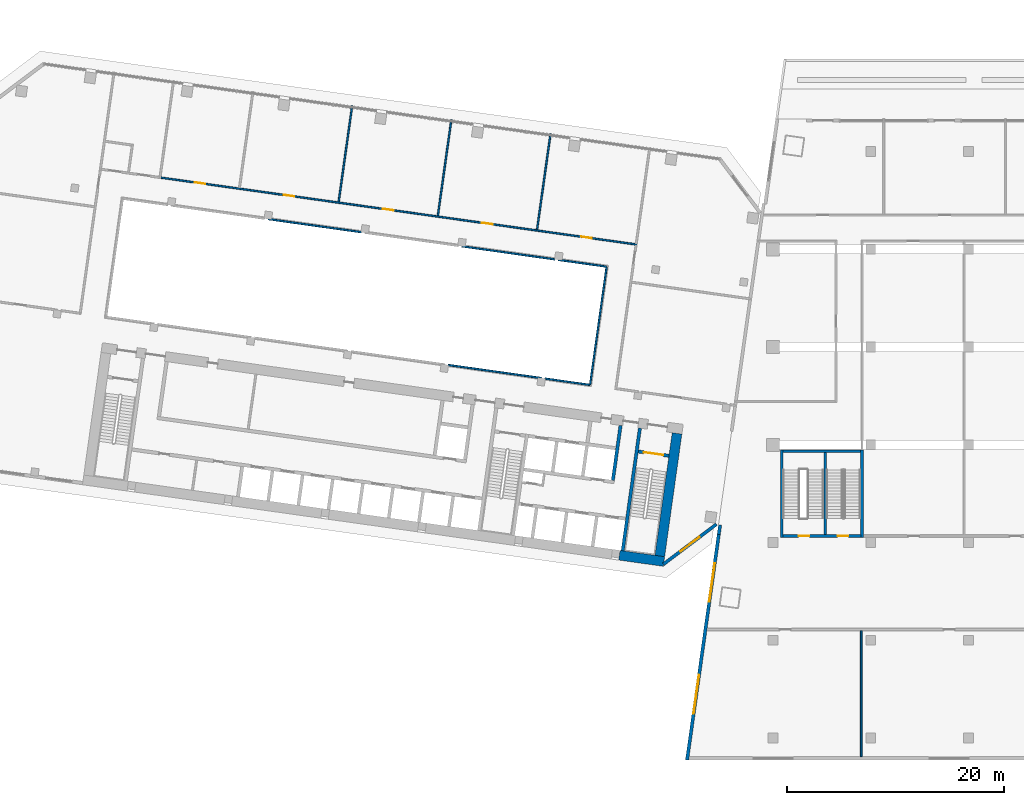
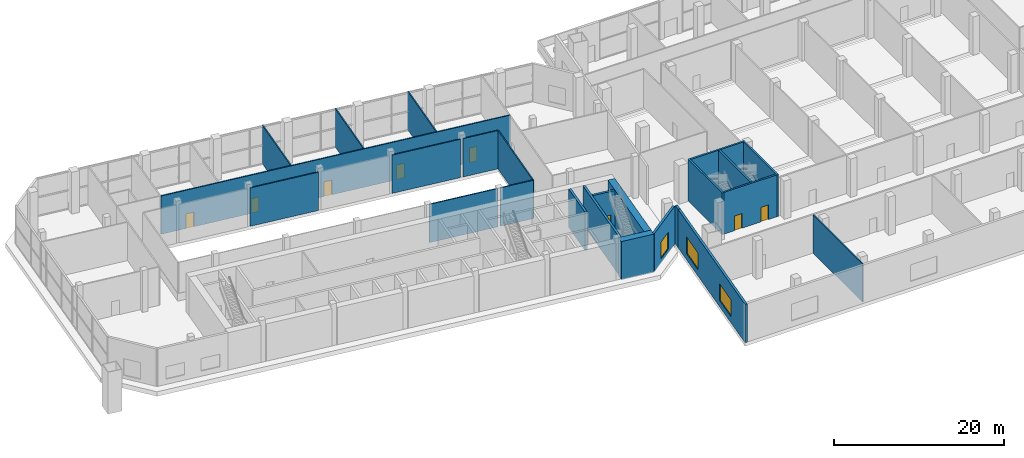
# One storey, part 11 of 24: 24 walls, 8 doors, 3 windows, 11 openings.
"""IFC4 building model written with IfcOpenShell, lengths in metres."""

from ifc_helpers import new_model, si_unit, direction, frame, frame_2d, origin, place, context, subcontext, project, spatial, rectangle, extrude, material, layer, layer_set, type_object, element, fill, save


model = new_model("IFC4")

# Units and contexts
model_context = context("Model", 3, precision=1e-05, world=origin(), true_north=direction((0.0, 1.0)))
body_context = subcontext(model_context, "Body", "Model", "MODEL_VIEW")
ifc_project = project(units=[si_unit("LENGTHUNIT", "METRE"), si_unit("AREAUNIT", "SQUARE_METRE"), si_unit("VOLUMEUNIT", "CUBIC_METRE"), si_unit("PLANEANGLEUNIT", "RADIAN"), si_unit("MASSUNIT", "GRAM", prefix="KILO")], contexts=[model_context])

# Site, building, storey
site_placement = place(None, origin())
site = spatial("IfcSite", under=ifc_project, at=site_placement, CompositionType="ELEMENT")
building_placement = place(site_placement, origin())
building = spatial("IfcBuilding", under=site, at=building_placement, Name="Mirante Cascada Hotel Towers", CompositionType="ELEMENT")
storey_placement = place(building_placement, frame((0.0, 0.0, 17.5)))
storey = spatial("IfcBuildingStorey", under=building, at=storey_placement, Name="L02", CompositionType="ELEMENT", Elevation=17.5)

# Wall, openings, doors
ifc_material_1 = material(Name="Masonry block", Category="masonry")
ifc_layer_1 = layer(ifc_material_1, 0.15)
ifc_layer_set_1 = layer_set([ifc_layer_1], Name="Corridor wall 150 block")
wall_type_1 = type_object("IfcWallType", Name="Corridor wall 150 block", PredefinedType="PARTITIONING", material=ifc_layer_set_1)
wall_1_placement = place(storey_placement, frame((-83.3717, 15.5992, 0.0), z_axis=(0.0, 0.0, 1.0), x_axis=(0.9902681, -0.1391729, 0.0)))
wall_1 = element("IfcWall", 1, at=wall_1_placement, inside=storey, type_object=wall_type_1, Name="Corridor wall T1 L02", PredefinedType="PARTITIONING", context=body_context, shape_type="SweptSolid", body=[
    extrude(rectangle(XDim=44.2766, YDim=0.15, at=frame_2d((22.1383, 0.0))), origin(), (0.0, 0.0, 1.0), 5.5),
])
opening_1_placement = place(wall_1_placement, frame((39.0905, 0.0, 0.0)))
opening_1 = element("IfcOpeningElement", 2, at=opening_1_placement, cuts=wall_1, Name="Opening DP1-L02-05", PredefinedType="OPENING", context=body_context, shape_type="SweptSolid", body=[
    extrude(rectangle(XDim=1.0, YDim=2.1, at=frame_2d((0.5, 1.05))), frame((0.0, 0.075, 0.0), z_axis=(0.0, -1.0, 0.0), x_axis=(1.0, 0.0, 0.0)), (0.0, 0.0, 1.0), 0.15),
])
opening_2_placement = place(wall_1_placement, frame((29.8683, 0.0, 0.0)))
opening_2 = element("IfcOpeningElement", 3, at=opening_2_placement, cuts=wall_1, Name="Opening DP1-L02-06", PredefinedType="OPENING", context=body_context, shape_type="SweptSolid", body=[
    extrude(rectangle(XDim=1.0, YDim=2.1, at=frame_2d((0.5, 1.05))), frame((0.0, 0.075, 0.0), z_axis=(0.0, -1.0, 0.0), x_axis=(1.0, 0.0, 0.0)), (0.0, 0.0, 1.0), 0.15),
])
opening_3_placement = place(wall_1_placement, frame((20.6461, 0.0, 0.0)))
opening_3 = element("IfcOpeningElement", 4, at=opening_3_placement, cuts=wall_1, Name="Opening DP1-L02-07", PredefinedType="OPENING", context=body_context, shape_type="SweptSolid", body=[
    extrude(rectangle(XDim=1.0, YDim=2.1, at=frame_2d((0.5, 1.05))), frame((0.0, 0.075, 0.0), z_axis=(0.0, -1.0, 0.0), x_axis=(1.0, 0.0, 0.0)), (0.0, 0.0, 1.0), 0.15),
])
opening_4_placement = place(wall_1_placement, frame((11.4238, 0.0, 0.0)))
opening_4 = element("IfcOpeningElement", 5, at=opening_4_placement, cuts=wall_1, Name="Opening DP1-L02-08", PredefinedType="OPENING", context=body_context, shape_type="SweptSolid", body=[
    extrude(rectangle(XDim=1.0, YDim=2.1, at=frame_2d((0.5, 1.05))), frame((0.0, 0.075, 0.0), z_axis=(0.0, -1.0, 0.0), x_axis=(1.0, 0.0, 0.0)), (0.0, 0.0, 1.0), 0.15),
])
opening_5_placement = place(wall_1_placement, frame((3.1564, 0.0, 0.0)))
opening_5 = element("IfcOpeningElement", 6, at=opening_5_placement, cuts=wall_1, Name="Opening DP1-L02-09", PredefinedType="OPENING", context=body_context, shape_type="SweptSolid", body=[
    extrude(rectangle(XDim=1.0, YDim=2.1, at=frame_2d((0.5, 1.05))), frame((0.0, 0.075, 0.0), z_axis=(0.0, -1.0, 0.0), x_axis=(1.0, 0.0, 0.0)), (0.0, 0.0, 1.0), 0.15),
])
ifc_material_2 = material(Name="Timber door leaf", Category="wood")
door_type_1 = type_object("IfcDoorType", Name="Single door 1000x2100", OperationType="NOTDEFINED", PredefinedType="DOOR", material=ifc_material_2)
door_1_placement = place(opening_1_placement, frame((1.0, 0.0, 0.0), z_axis=(0.0, 0.0, 1.0), x_axis=(-1.0, 0.0, 0.0)))
door_1 = element("IfcDoor", 7, at=door_1_placement, inside=storey, type_object=door_type_1, Name="Door DP1-L02-05", OperationType="SINGLE_SWING_LEFT", OverallHeight=2.1, OverallWidth=1.0, PredefinedType="DOOR", context=body_context, shape_type="SweptSolid", body=[
    extrude(rectangle(XDim=1.0, YDim=2.1, at=frame_2d((0.5, 1.05))), frame((0.0, 0.025, 0.0), z_axis=(0.0, -1.0, 0.0), x_axis=(1.0, 0.0, 0.0)), (0.0, 0.0, 1.0), 0.05),
])
fill(opening_1, door_1)
door_2_placement = place(opening_2_placement, origin())
door_2 = element("IfcDoor", 8, at=door_2_placement, inside=storey, type_object=door_type_1, Name="Door DP1-L02-06", OperationType="SINGLE_SWING_RIGHT", OverallHeight=2.1, OverallWidth=1.0, PredefinedType="DOOR", context=body_context, shape_type="SweptSolid", body=[
    extrude(rectangle(XDim=1.0, YDim=2.1, at=frame_2d((0.5, 1.05))), frame((0.0, 0.025, 0.0), z_axis=(0.0, -1.0, 0.0), x_axis=(1.0, 0.0, 0.0)), (0.0, 0.0, 1.0), 0.05),
])
fill(opening_2, door_2)
door_3_placement = place(opening_3_placement, origin())
door_3 = element("IfcDoor", 9, at=door_3_placement, inside=storey, type_object=door_type_1, Name="Door DP1-L02-07", OperationType="SINGLE_SWING_LEFT", OverallHeight=2.1, OverallWidth=1.0, PredefinedType="DOOR", context=body_context, shape_type="SweptSolid", body=[
    extrude(rectangle(XDim=1.0, YDim=2.1, at=frame_2d((0.5, 1.05))), frame((0.0, 0.025, 0.0), z_axis=(0.0, -1.0, 0.0), x_axis=(1.0, 0.0, 0.0)), (0.0, 0.0, 1.0), 0.05),
])
fill(opening_3, door_3)
door_4_placement = place(opening_4_placement, frame((1.0, 0.0, 0.0), z_axis=(0.0, 0.0, 1.0), x_axis=(-1.0, 0.0, 0.0)))
door_4 = element("IfcDoor", 10, at=door_4_placement, inside=storey, type_object=door_type_1, Name="Door DP1-L02-08", OperationType="SINGLE_SWING_RIGHT", OverallHeight=2.1, OverallWidth=1.0, PredefinedType="DOOR", context=body_context, shape_type="SweptSolid", body=[
    extrude(rectangle(XDim=1.0, YDim=2.1, at=frame_2d((0.5, 1.05))), frame((0.0, 0.025, 0.0), z_axis=(0.0, -1.0, 0.0), x_axis=(1.0, 0.0, 0.0)), (0.0, 0.0, 1.0), 0.05),
])
fill(opening_4, door_4)
door_5_placement = place(opening_5_placement, origin())
door_5 = element("IfcDoor", 11, at=door_5_placement, inside=storey, type_object=door_type_1, Name="Door DP1-L02-09", OperationType="SINGLE_SWING_LEFT", OverallHeight=2.1, OverallWidth=1.0, PredefinedType="DOOR", context=body_context, shape_type="SweptSolid", body=[
    extrude(rectangle(XDim=1.0, YDim=2.1, at=frame_2d((0.5, 1.05))), frame((0.0, 0.025, 0.0), z_axis=(0.0, -1.0, 0.0), x_axis=(1.0, 0.0, 0.0)), (0.0, 0.0, 1.0), 0.05),
])
fill(opening_5, door_5)

# Walls
wall_2_placement = place(storey_placement, frame((-43.8376, -3.4584, 0.0), z_axis=(0.0, 0.0, 1.0), x_axis=(0.1391674, 0.9902689, 0.0)))
element("IfcWall", 12, at=wall_2_placement, inside=storey, type_object=wall_type_1, Name="Corridor wall T1 L02", PredefinedType="PARTITIONING", context=body_context, shape_type="SweptSolid", body=[
    extrude(rectangle(XDim=10.9401, YDim=0.15, at=frame_2d((5.47, 0.0))), origin(), (0.0, 0.0, 1.0), 5.5),
])
wall_3_placement = place(storey_placement, frame((-56.9091, -1.6516, 0.0), z_axis=(0.0, 0.0, 1.0), x_axis=(0.990268, -0.1391735, 0.0)))
element("IfcWall", 13, at=wall_3_placement, inside=storey, type_object=wall_type_1, Name="Corridor wall T1 L02", PredefinedType="PARTITIONING", context=body_context, shape_type="SweptSolid", body=[
    extrude(rectangle(XDim=8.6712, YDim=0.15, at=frame_2d((4.3356, 0.0))), origin(), (0.0, 0.0, 1.0), 5.5),
])
wall_4_placement = place(storey_placement, frame((-47.9967, -2.9041, 0.0), z_axis=(0.0, 0.0, 1.0), x_axis=(0.9902667, -0.1391827, 0.0)))
element("IfcWall", 14, at=wall_4_placement, inside=storey, type_object=wall_type_1, Name="Corridor wall T1 L02", PredefinedType="PARTITIONING", context=body_context, shape_type="SweptSolid", body=[
    extrude(rectangle(XDim=4.1657, YDim=0.15, at=frame_2d((2.0828, 0.0))), origin(), (0.0, 0.0, 1.0), 5.5),
])
for number, where, z_axis, x_axis, name in (
    (15, (-73.4801, 11.7854, 0.0), (0.0, 0.0, 1.0), (0.9902682, -0.139172, 0.0), "Corridor wall T1 L02"),
    (16, (-55.6553, 9.2803, 0.0), (0.0, 0.0, 1.0), (0.9902682, -0.139172, 0.0), "Corridor wall T1 L02"),
):
    element("IfcWall", number, at=place(storey_placement, frame(where, z_axis=z_axis, x_axis=x_axis)), inside=storey, type_object=wall_type_1, Name=name, PredefinedType="PARTITIONING", context=body_context, shape_type="SweptSolid", body=[
        extrude(rectangle(XDim=8.6713, YDim=0.15, at=frame_2d((4.3356, 0.0))), origin(), (0.0, 0.0, 1.0), 5.5),
    ])
wall_5_placement = place(storey_placement, frame((-46.7429, 8.0277, 0.0), z_axis=(0.0, 0.0, 1.0), x_axis=(0.9902682, -0.1391725, 0.0)))
element("IfcWall", 17, at=wall_5_placement, inside=storey, type_object=wall_type_1, Name="Corridor wall T1 L02", PredefinedType="PARTITIONING", context=body_context, shape_type="SweptSolid", body=[
    extrude(rectangle(XDim=4.4456, YDim=0.15, at=frame_2d((2.2228, 0.0))), origin(), (0.0, 0.0, 1.0), 5.5),
])
ifc_material_3 = material(Name="Masonry block", Category="masonry")
ifc_layer_2 = layer(ifc_material_3, 0.15)
ifc_layer_set_2 = layer_set([ifc_layer_2], Name="Partition 150 block")
wall_type_2 = type_object("IfcWallType", Name="Partition 150 block", PredefinedType="PARTITIONING", material=ifc_layer_set_2)
wall_6_placement = place(storey_placement, frame((-18.8782, -37.7, 0.0), z_axis=(0.0, 0.0, 1.0), x_axis=(0.0, 1.0, 0.0)))
element("IfcWall", 18, at=wall_6_placement, inside=storey, type_object=wall_type_2, Name="Partition P L02", PredefinedType="PARTITIONING", context=body_context, shape_type="SweptSolid", body=[
    extrude(rectangle(XDim=11.6, YDim=0.15, at=frame_2d((5.8, 0.0))), origin(), (0.0, 0.0, 1.0), 5.5),
])
wall_7_placement = place(storey_placement, frame((-48.7223, 10.8053, 0.0), z_axis=(0.0, 0.0, 1.0), x_axis=(0.1391716, 0.9902683, 0.0)))
element("IfcWall", 19, at=wall_7_placement, inside=storey, type_object=wall_type_2, Name="Partition T1 L02", PredefinedType="PARTITIONING", context=body_context, shape_type="SweptSolid", body=[
    extrude(rectangle(XDim=8.925, YDim=0.15, at=frame_2d((4.4625, 0.0))), origin(), (0.0, 0.0, 1.0), 5.5),
])
for number, where, z_axis, x_axis, name in (
    (20, (-57.8548, 12.0887, 0.0), (0.0, 0.0, 1.0), (0.139181, 0.990267, 0.0), "Partition T1 L02"),
    (21, (-66.9872, 13.3722, 0.0), (0.0, 0.0, 1.0), (0.13917, 0.9902685, 0.0), "Partition T1 L02"),
):
    element("IfcWall", number, at=place(storey_placement, frame(where, z_axis=z_axis, x_axis=x_axis)), inside=storey, type_object=wall_type_2, Name=name, PredefinedType="PARTITIONING", context=body_context, shape_type="SweptSolid", body=[
        extrude(rectangle(XDim=8.9251, YDim=0.15, at=frame_2d((4.4626, 0.0))), origin(), (0.0, 0.0, 1.0), 5.5),
    ])

# Wall, opening, window
ifc_material_4 = material(Name="Precast concrete C40/50", Category="concrete")
ifc_layer_3 = layer(ifc_material_4, 0.3)
ifc_layer_set_3 = layer_set([ifc_layer_3], Name="Precast concrete C40/50 cladding wall 300")
wall_type_3 = type_object("IfcWallType", Name="Precast concrete C40/50 cladding wall 300", PredefinedType="STANDARD", material=ifc_layer_set_3)
wall_8_placement = place(storey_placement, frame((-32.2074, -16.3138, 0.0), z_axis=(0.0, 0.0, 1.0), x_axis=(-0.7986362, -0.6018141, 0.0)))
wall_8 = element("IfcWall", 22, at=wall_8_placement, inside=storey, type_object=wall_type_3, Name="Corner cladding wall T1 L02 inner rear", PredefinedType="STANDARD", context=body_context, shape_type="SweptSolid", body=[
    extrude(rectangle(XDim=6.1157, YDim=0.3, at=frame_2d((3.0578, 0.0))), origin(), (0.0, 0.0, 1.0), 5.5),
])
opening_6_placement = place(wall_8_placement, frame((1.9578, 0.0, 0.6)))
opening_6 = element("IfcOpeningElement", 23, at=opening_6_placement, cuts=wall_8, Name="Opening W1-02-05", PredefinedType="OPENING", context=body_context, shape_type="SweptSolid", body=[
    extrude(rectangle(XDim=2.2, YDim=2.4, at=frame_2d((1.1, 1.2))), frame((0.0, 0.15, 0.0), z_axis=(0.0, -1.0, 0.0), x_axis=(1.0, 0.0, 0.0)), (0.0, 0.0, 1.0), 0.3),
])
ifc_material_5 = material(Name="Aluminium frame with clear double glazing", Category="aluminium")
window_type_1 = type_object("IfcWindowType", Name="Corner suite window 2200x2400", PartitioningType="DOUBLE_PANEL_VERTICAL", PredefinedType="WINDOW", material=ifc_material_5)
window_1_placement = place(opening_6_placement, origin())
window_1 = element("IfcWindow", 24, at=window_1_placement, inside=storey, type_object=window_type_1, Name="Window W1-02-05", OverallHeight=2.4, OverallWidth=2.2, PartitioningType="SINGLE_PANEL", PredefinedType="WINDOW", context=body_context, shape_type="SweptSolid", body=[
    extrude(rectangle(XDim=2.2, YDim=2.4, at=frame_2d((1.1, 1.2))), frame((0.0, 0.03, 0.0), z_axis=(0.0, -1.0, 0.0), x_axis=(1.0, 0.0, 0.0)), (0.0, 0.0, 1.0), 0.06),
])
fill(opening_6, window_1)

# Wall, openings, windows
wall_9_placement = place(storey_placement, frame((-31.9876, -17.2201, 0.0), z_axis=(0.0, 0.0, 1.0), x_axis=(-0.1391749, -0.9902678, 0.0)))
wall_9 = element("IfcWall", 25, at=wall_9_placement, inside=storey, type_object=wall_type_3, Name="Podium cladding wall L02 P:L02:6", PredefinedType="STANDARD", context=body_context, shape_type="SweptSolid", body=[
    extrude(rectangle(XDim=21.0052, YDim=0.3, at=frame_2d((10.5026, 0.0))), origin(), (0.0, 0.0, 1.0), 5.5),
])
opening_7_placement = place(wall_9_placement, frame((2.6994, 0.0, 0.9)))
opening_7 = element("IfcOpeningElement", 26, at=opening_7_placement, cuts=wall_9, Name="Opening WP-02-09", PredefinedType="OPENING", context=body_context, shape_type="SweptSolid", body=[
    extrude(rectangle(XDim=3.6, YDim=2.4, at=frame_2d((1.8, 1.2))), frame((0.0, 0.15, 0.0), z_axis=(0.0, -1.0, 0.0), x_axis=(1.0, 0.0, 0.0)), (0.0, 0.0, 1.0), 0.3),
])
opening_8_placement = place(wall_9_placement, frame((13.1006, 0.0, 0.9)))
opening_8 = element("IfcOpeningElement", 27, at=opening_8_placement, cuts=wall_9, Name="Opening WP-02-10", PredefinedType="OPENING", context=body_context, shape_type="SweptSolid", body=[
    extrude(rectangle(XDim=3.6, YDim=2.4, at=frame_2d((1.8, 1.2))), frame((0.0, 0.15, 0.0), z_axis=(0.0, -1.0, 0.0), x_axis=(1.0, 0.0, 0.0)), (0.0, 0.0, 1.0), 0.3),
])
ifc_material_6 = material(Name="Aluminium frame with clear double glazing", Category="aluminium")
window_type_2 = type_object("IfcWindowType", Name="Podium punched window 3600x2400", PartitioningType="DOUBLE_PANEL_VERTICAL", PredefinedType="WINDOW", material=ifc_material_6)
window_2_placement = place(opening_7_placement, origin())
window_2 = element("IfcWindow", 28, at=window_2_placement, inside=storey, type_object=window_type_2, Name="Window WP-02-09", OverallHeight=2.4, OverallWidth=3.6, PartitioningType="SINGLE_PANEL", PredefinedType="WINDOW", context=body_context, shape_type="SweptSolid", body=[
    extrude(rectangle(XDim=3.6, YDim=2.4, at=frame_2d((1.8, 1.2))), frame((0.0, 0.03, 0.0), z_axis=(0.0, -1.0, 0.0), x_axis=(1.0, 0.0, 0.0)), (0.0, 0.0, 1.0), 0.06),
])
fill(opening_7, window_2)
window_3_placement = place(opening_8_placement, origin())
window_3 = element("IfcWindow", 29, at=window_3_placement, inside=storey, type_object=window_type_2, Name="Window WP-02-10", OverallHeight=2.4, OverallWidth=3.6, PartitioningType="SINGLE_PANEL", PredefinedType="WINDOW", context=body_context, shape_type="SweptSolid", body=[
    extrude(rectangle(XDim=3.6, YDim=2.4, at=frame_2d((1.8, 1.2))), frame((0.0, 0.03, 0.0), z_axis=(0.0, -1.0, 0.0), x_axis=(1.0, 0.0, 0.0)), (0.0, 0.0, 1.0), 0.06),
])
fill(opening_8, window_3)

# Walls
wall_10_placement = place(storey_placement, frame((-31.9904, -17.2399, 0.0), z_axis=(0.0, 0.0, 1.0), x_axis=(0.1391966, 0.9902648, 0.0)))
element("IfcWall", 30, at=wall_10_placement, inside=storey, type_object=wall_type_3, Name="Corner closure wall L02 1.1", PredefinedType="STANDARD", context=body_context, shape_type="SweptSolid", body=[
    extrude(rectangle(XDim=0.8686, YDim=0.3, at=frame_2d((0.4343, 0.0))), origin(), (0.0, 0.0, 1.0), 5.5),
])
ifc_material_7 = material(Name="Concrete C50/60", Category="concrete")
ifc_layer_4 = layer(ifc_material_7, 0.3)
ifc_layer_set_4 = layer_set([ifc_layer_4], Name="RC core wall 300 C50/60")
wall_type_4 = type_object("IfcWallType", Name="RC core wall 300 C50/60", PredefinedType="SHEAR", material=ifc_layer_set_4)
wall_11_placement = place(storey_placement, frame((-40.8373, -18.7548, 0.0), z_axis=(0.0, 0.0, 1.0), x_axis=(0.1391749, 0.9902678, 0.0)))
element("IfcWall", 31, at=wall_11_placement, inside=storey, type_object=wall_type_4, Name="Core wall T1:L02:5", PredefinedType="SHEAR", context=body_context, shape_type="SweptSolid", body=[
    extrude(rectangle(XDim=11.4, YDim=0.3, at=frame_2d((5.7, 0.0))), origin(), (0.0, 0.0, 1.0), 5.5),
])

# Wall, opening, door
wall_12_placement = place(storey_placement, frame((-36.5791, -10.0123, 0.0), z_axis=(0.0, 0.0, 1.0), x_axis=(-0.9902704, 0.1391564, 0.0)))
wall_12 = element("IfcWall", 32, at=wall_12_placement, inside=storey, type_object=wall_type_4, Name="Core wall T1:L02:9", PredefinedType="SHEAR", context=body_context, shape_type="SweptSolid", body=[
    extrude(rectangle(XDim=2.85, YDim=0.3, at=frame_2d((1.425, 0.0))), origin(), (0.0, 0.0, 1.0), 5.5),
])
opening_9_placement = place(wall_12_placement, frame((0.525, 0.0, 0.0)))
opening_9 = element("IfcOpeningElement", 33, at=opening_9_placement, cuts=wall_12, Name="Opening D1-02-C16", PredefinedType="OPENING", context=body_context, shape_type="SweptSolid", body=[
    extrude(rectangle(XDim=1.8, YDim=2.1, at=frame_2d((0.9, 1.05))), frame((0.0, 0.15, 0.0), z_axis=(0.0, -1.0, 0.0), x_axis=(1.0, 0.0, 0.0)), (0.0, 0.0, 1.0), 0.3),
])
ifc_material_8 = material(Name="Hollow metal fire door leaf")
door_type_2 = type_object("IfcDoorType", Name="Double fire door 1800x2100 FD60", OperationType="DOUBLE_DOOR_SINGLE_SWING", PredefinedType="DOOR", material=ifc_material_8)
door_6_placement = place(opening_9_placement, origin())
door_6 = element("IfcDoor", 34, at=door_6_placement, inside=storey, type_object=door_type_2, Name="Stair door T1 L02 16", OperationType="DOUBLE_DOOR_SINGLE_SWING", OverallHeight=2.1, OverallWidth=1.8, PredefinedType="DOOR", context=body_context, shape_type="SweptSolid", body=[
    extrude(rectangle(XDim=0.895, YDim=2.1, at=frame_2d((0.4475, 1.05))), frame((0.0, 0.025, 0.0), z_axis=(0.0, -1.0, 0.0), x_axis=(1.0, 0.0, 0.0)), (0.0, 0.0, 1.0), 0.05),
    extrude(rectangle(XDim=0.895, YDim=2.1, at=frame_2d((1.3525, 1.05))), frame((0.0, 0.025, 0.0), z_axis=(0.0, -1.0, 0.0), x_axis=(1.0, 0.0, 0.0)), (0.0, 0.0, 1.0), 0.05),
])
fill(opening_9, door_6)

# Walls
wall_13_placement = place(storey_placement, frame((-41.743, -12.2656, 0.0), z_axis=(0.0, 0.0, 1.0), x_axis=(0.1391755, 0.9902677, 0.0)))
element("IfcWall", 35, at=wall_13_placement, inside=storey, type_object=wall_type_4, Name="Core wall T1:L02:20", PredefinedType="SHEAR", context=body_context, shape_type="SweptSolid", body=[
    extrude(rectangle(XDim=5.1, YDim=0.3, at=frame_2d((2.55, 0.0))), origin(), (0.0, 0.0, 1.0), 5.5),
])
ifc_material_9 = material(Name="Concrete C50/60", Category="concrete")
ifc_layer_5 = layer(ifc_material_9, 0.9)
ifc_layer_set_5 = layer_set([ifc_layer_5], Name="RC core wall 900 C50/60")
wall_type_5 = type_object("IfcWallType", Name="RC core wall 900 C50/60", PredefinedType="SHEAR", material=ifc_layer_set_5)
wall_14_placement = place(storey_placement, frame((-37.0379, -19.7432, 0.0), z_axis=(0.0, 0.0, 1.0), x_axis=(-0.990267, 0.139181, 0.0)))
element("IfcWall", 36, at=wall_14_placement, inside=storey, type_object=wall_type_5, Name="Core wall T1:L02:1.1", PredefinedType="SHEAR", context=body_context, shape_type="SweptSolid", body=[
    extrude(rectangle(XDim=4.15, YDim=0.9, at=frame_2d((2.075, 0.0))), origin(), (0.0, 0.0, 1.0), 5.5),
])
wall_15_placement = place(storey_placement, frame((-37.4209, -19.2349, 0.0), z_axis=(0.0, 0.0, 1.0), x_axis=(0.1391761, 0.9902677, 0.0)))
element("IfcWall", 37, at=wall_15_placement, inside=storey, type_object=wall_type_5, Name="Core wall T1:L02:3", PredefinedType="SHEAR", context=body_context, shape_type="SweptSolid", body=[
    extrude(rectangle(XDim=11.3999, YDim=0.9, at=frame_2d((5.7, 0.0))), origin(), (0.0, 0.0, 1.0), 5.5),
])

# Wall, openings, doors
ifc_material_10 = material(Name="Concrete C35/45", Category="concrete")
ifc_layer_6 = layer(ifc_material_10, 0.25)
ifc_layer_set_6 = layer_set([ifc_layer_6], Name="Stair wall 250 concrete C35/45 EI 120")
wall_type_6 = type_object("IfcWallType", Name="Stair wall 250 concrete C35/45 EI 120", PredefinedType="STANDARD", material=ifc_layer_set_6)
wall_16_placement = place(storey_placement, frame((-26.085, -17.4, 0.0), z_axis=(0.0, 0.0, 1.0), x_axis=(1.0, 0.0, 0.0)))
wall_16 = element("IfcWall", 38, at=wall_16_placement, inside=storey, type_object=wall_type_6, Name="Stair wall P L02", PredefinedType="STANDARD", context=body_context, shape_type="SweptSolid", body=[
    extrude(rectangle(XDim=7.17, YDim=0.25, at=frame_2d((3.585, 0.0))), origin(), (0.0, 0.0, 1.0), 6.0),
])
opening_10_placement = place(wall_16_placement, frame((5.0275, 0.0, 0.0)))
opening_10 = element("IfcOpeningElement", 39, at=opening_10_placement, cuts=wall_16, Name="Opening DP-L02-01", PredefinedType="OPENING", context=body_context, shape_type="SweptSolid", body=[
    extrude(rectangle(XDim=1.0, YDim=2.1, at=frame_2d((0.5, 1.05))), frame((0.0, 0.125, 0.0), z_axis=(0.0, -1.0, 0.0), x_axis=(1.0, 0.0, 0.0)), (0.0, 0.0, 1.0), 0.25),
])
opening_11_placement = place(wall_16_placement, frame((1.4425, 0.0, 0.0)))
opening_11 = element("IfcOpeningElement", 40, at=opening_11_placement, cuts=wall_16, Name="Opening DP-L02-02", PredefinedType="OPENING", context=body_context, shape_type="SweptSolid", body=[
    extrude(rectangle(XDim=1.0, YDim=2.1, at=frame_2d((0.5, 1.05))), frame((0.0, 0.125, 0.0), z_axis=(0.0, -1.0, 0.0), x_axis=(1.0, 0.0, 0.0)), (0.0, 0.0, 1.0), 0.25),
])
ifc_material_11 = material(Name="Hollow metal fire door leaf")
door_type_3 = type_object("IfcDoorType", Name="Fire door 1000x2100 FD60", OperationType="NOTDEFINED", PredefinedType="DOOR", material=ifc_material_11)
door_7_placement = place(opening_10_placement, origin())
door_7 = element("IfcDoor", 41, at=door_7_placement, inside=storey, type_object=door_type_3, Name="Door DP-L02-01", OperationType="SINGLE_SWING_LEFT", OverallHeight=2.1, OverallWidth=1.0, PredefinedType="DOOR", context=body_context, shape_type="SweptSolid", body=[
    extrude(rectangle(XDim=1.0, YDim=2.1, at=frame_2d((0.5, 1.05))), frame((0.0, 0.025, 0.0), z_axis=(0.0, -1.0, 0.0), x_axis=(1.0, 0.0, 0.0)), (0.0, 0.0, 1.0), 0.05),
])
fill(opening_10, door_7)
door_8_placement = place(opening_11_placement, origin())
door_8 = element("IfcDoor", 42, at=door_8_placement, inside=storey, type_object=door_type_3, Name="Door DP-L02-02", OperationType="SINGLE_SWING_RIGHT", OverallHeight=2.1, OverallWidth=1.0, PredefinedType="DOOR", context=body_context, shape_type="SweptSolid", body=[
    extrude(rectangle(XDim=1.0, YDim=2.1, at=frame_2d((0.5, 1.05))), frame((0.0, 0.025, 0.0), z_axis=(0.0, -1.0, 0.0), x_axis=(1.0, 0.0, 0.0)), (0.0, 0.0, 1.0), 0.05),
])
fill(opening_11, door_8)

# Walls
wall_17_placement = place(storey_placement, frame((-26.075, -9.6, 0.0), z_axis=(0.0, 0.0, 1.0), x_axis=(1.0, 0.0, 0.0)))
element("IfcWall", 43, at=wall_17_placement, inside=storey, type_object=wall_type_6, Name="Stair wall P L02", PredefinedType="STANDARD", context=body_context, shape_type="SweptSolid", body=[
    extrude(rectangle(XDim=7.15, YDim=0.25, at=frame_2d((3.575, 0.0))), origin(), (0.0, 0.0, 1.0), 6.0),
])
wall_18_placement = place(storey_placement, frame((-18.8, -17.525, 0.0), z_axis=(0.0, 0.0, 1.0), x_axis=(0.0, 1.0, 0.0)))
element("IfcWall", 44, at=wall_18_placement, inside=storey, type_object=wall_type_6, Name="Stair wall P L02", PredefinedType="STANDARD", context=body_context, shape_type="SweptSolid", body=[
    extrude(rectangle(XDim=8.05, YDim=0.25, at=frame_2d((4.025, 0.0))), origin(), (0.0, 0.0, 1.0), 6.0),
])
wall_19_placement = place(storey_placement, frame((-22.2, -17.275, 0.0), z_axis=(0.0, 0.0, 1.0), x_axis=(0.0, 1.0, 0.0)))
element("IfcWall", 45, at=wall_19_placement, inside=storey, type_object=wall_type_6, Name="Stair wall P L02", PredefinedType="STANDARD", context=body_context, shape_type="SweptSolid", body=[
    extrude(rectangle(XDim=7.55, YDim=0.25, at=frame_2d((3.775, 0.0))), origin(), (0.0, 0.0, 1.0), 6.0),
])
wall_20_placement = place(storey_placement, frame((-26.2, -17.525, 0.0), z_axis=(0.0, 0.0, 1.0), x_axis=(0.0, 1.0, 0.0)))
element("IfcWall", 46, at=wall_20_placement, inside=storey, type_object=wall_type_6, Name="Stair wall P L02", PredefinedType="STANDARD", context=body_context, shape_type="SweptSolid", body=[
    extrude(rectangle(XDim=8.05, YDim=0.25, at=frame_2d((4.025, 0.0))), origin(), (0.0, 0.0, 1.0), 6.0),
])

save(model, "model.ifc")
